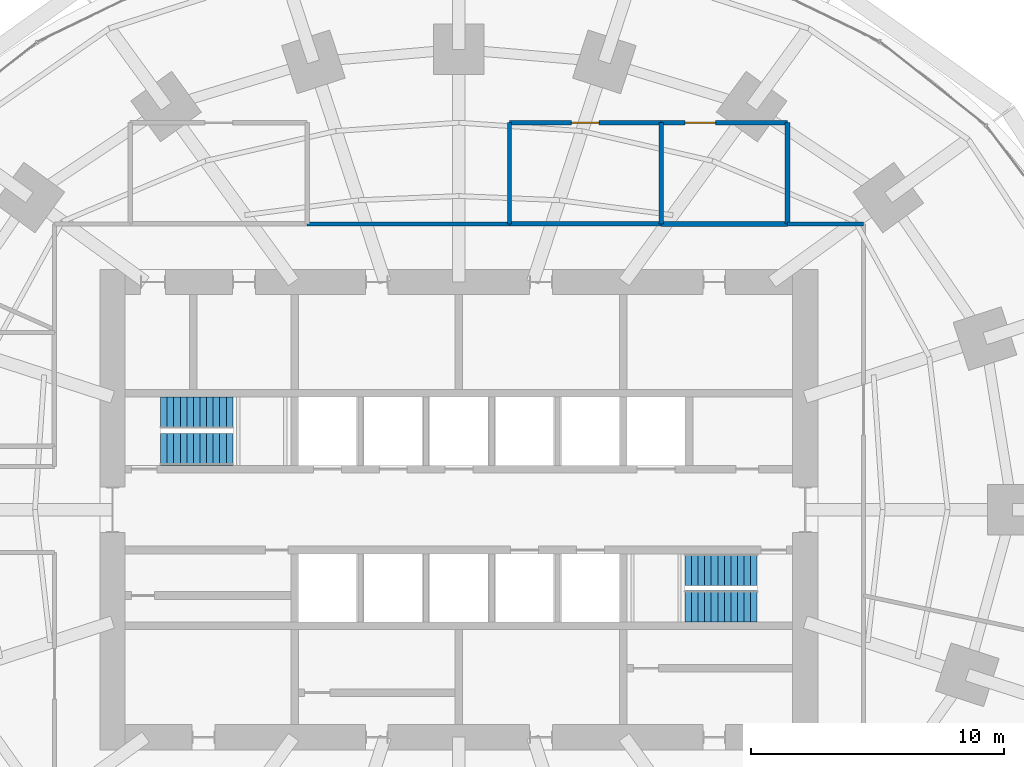
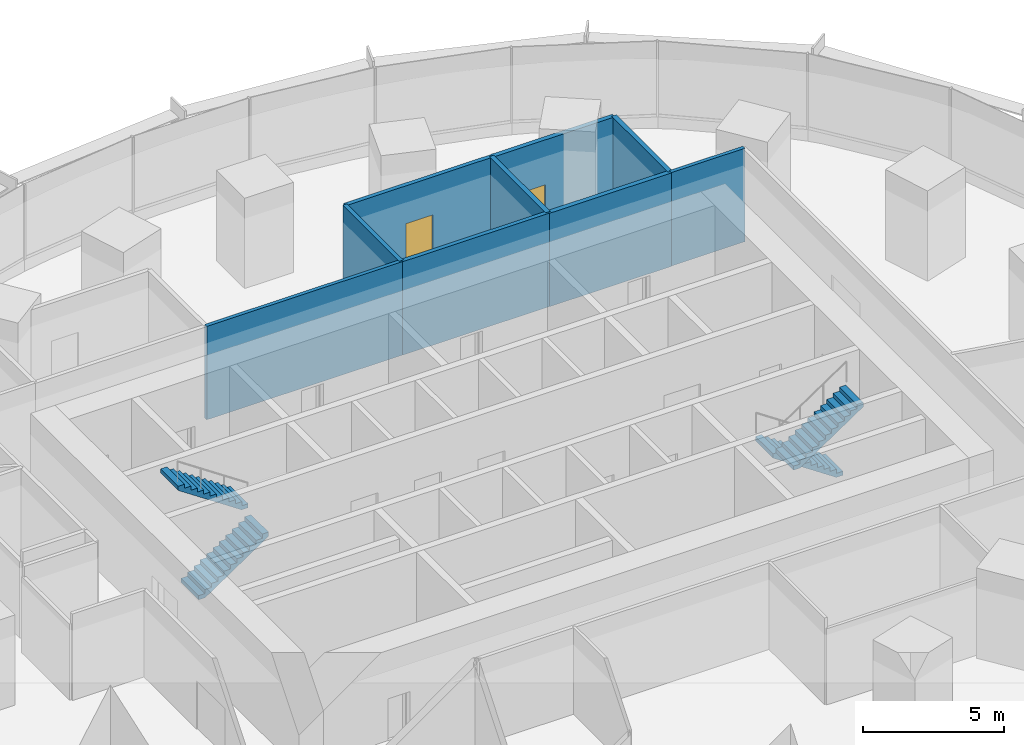
# One storey, part 13 of 15: 9 walls, 4 stair flights, 2 doors, 2 openings, 2 elements without a shape of their own.
"""IFC4 building model written with IfcOpenShell, lengths in metres."""

from ifc_helpers import new_model, si_unit, direction, frame, frame_2d, origin, place, context, subcontext, project, spatial, polyline, rectangle, outline, extrude, material, layer, layer_set, type_object, element, fill, aggregate, save


model = new_model("IFC4")

# Units and contexts
model_context = context("Model", 3, precision=1e-05, world=origin(), true_north=direction((0.0, 1.0)))
body_context = subcontext(model_context, "Body", "Model", "MODEL_VIEW")
ifc_project = project(units=[si_unit("LENGTHUNIT", "METRE"), si_unit("AREAUNIT", "SQUARE_METRE"), si_unit("VOLUMEUNIT", "CUBIC_METRE"), si_unit("PLANEANGLEUNIT", "RADIAN"), si_unit("MASSUNIT", "GRAM", prefix="KILO")], contexts=[model_context])

# Site, building, storey
site_placement = place(None, origin())
site = spatial("IfcSite", under=ifc_project, at=site_placement, CompositionType="ELEMENT")
building_placement = place(site_placement, origin())
building = spatial("IfcBuilding", under=site, at=building_placement, Name="Marramba Exchange Tower", CompositionType="ELEMENT")
storey_placement = place(building_placement, frame((0.0, 0.0, 32.199951171875)))
storey = spatial("IfcBuildingStorey", under=building, at=storey_placement, Name="L07", CompositionType="ELEMENT", Elevation=32.199951171875)

# Wall
ifc_material_1 = material(Name="Plasterboard on staggered double steel studs, acoustic insulation", Category="steel")
ifc_layer_1 = layer(ifc_material_1, 0.169921875)
ifc_layer_set_1 = layer_set([ifc_layer_1], Name="Acoustic partition 170")
wall_type_1 = type_object("IfcWallType", Name="Acoustic partition 170", PredefinedType="PARTITIONING", material=ifc_layer_set_1)
wall_1_placement = place(storey_placement, frame((2.0, 11.300048828125, 0.0), z_axis=(0.0, 0.0, 1.0), x_axis=(1.0, 0.0, 0.0)))
element("IfcWall", 1, at=wall_1_placement, inside=storey, type_object=wall_type_1, Name="Acoustic partition L07 21", PredefinedType="PARTITIONING", context=body_context, shape_type="SweptSolid", body=[
    extrude(rectangle(XDim=6.0, YDim=0.169921875, at=frame_2d((3.0, 0.0))), origin(), (0.0, 0.0, 1.0), 4.0400390625),
])

# Wall, opening, door
wall_2_placement = place(storey_placement, frame((8.0, 15.300048828125, 0.0), z_axis=(0.0, 0.0, 1.0), x_axis=(-1.0, 0.0, 0.0)))
wall_2 = element("IfcWall", 2, at=wall_2_placement, inside=storey, type_object=wall_type_1, Name="Acoustic partition L07 22", PredefinedType="PARTITIONING", context=body_context, shape_type="SweptSolid", body=[
    extrude(rectangle(XDim=6.0, YDim=0.169921875, at=frame_2d((3.0, 0.0))), origin(), (0.0, 0.0, 1.0), 4.0400390625),
])
opening_1_placement = place(wall_2_placement, frame((2.449951171875, 0.0, 0.0)))
opening_1 = element("IfcOpeningElement", 3, at=opening_1_placement, cuts=wall_2, Name="Opening D15", PredefinedType="OPENING", context=body_context, shape_type="SweptSolid", body=[
    extrude(rectangle(XDim=1.10009765625, YDim=2.39990234375, at=frame_2d((0.550048828125, 1.199951171875))), frame((0.0, 0.094970703125, 0.0), z_axis=(0.0, -1.0, 0.0), x_axis=(1.0, 0.0, 0.0)), (0.0, 0.0, 1.0), 0.18994140625),
])
ifc_material_2 = material(Name="Timber door", Category="wood")
door_type_1 = type_object("IfcDoorType", Name="Glazed meeting room door 1100x2400", OperationType="SINGLE_SWING_LEFT", PredefinedType="DOOR", material=ifc_material_2)
door_1_placement = place(opening_1_placement, origin())
door_1 = element("IfcDoor", 4, at=door_1_placement, inside=storey, type_object=door_type_1, Name="D15 Meeting Room 1 L07", OperationType="SINGLE_SWING_RIGHT", OverallHeight=2.39990234375, OverallWidth=1.10009765625, PredefinedType="DOOR", context=body_context, shape_type="SweptSolid", body=[
    extrude(rectangle(XDim=1.10009765625, YDim=2.39990234375, at=frame_2d((0.550048828125, 1.199951171875))), frame((0.0, 0.02490234375, 0.0), z_axis=(0.0, -1.0, 0.0), x_axis=(1.0, 0.0, 0.0)), (0.0, 0.0, 1.0), 0.050048828125),
])
fill(opening_1, door_1)

# Walls
wall_3_placement = place(storey_placement, frame((2.0, 15.300048828125, 0.0), z_axis=(0.0, 0.0, 1.0), x_axis=(0.0, -1.0, 0.0)))
element("IfcWall", 5, at=wall_3_placement, inside=storey, type_object=wall_type_1, Name="Acoustic partition L07 23", PredefinedType="PARTITIONING", context=body_context, shape_type="SweptSolid", body=[
    extrude(rectangle(XDim=4.0, YDim=0.169921875, at=frame_2d((2.0, 0.0))), origin(), (0.0, 0.0, 1.0), 4.0400390625),
])
ifc_material_3 = material(Name="Core-filled concrete blockwork, rendered", Category="masonry")
ifc_layer_2 = layer(ifc_material_3, 0.18994140625)
ifc_layer_set_2 = layer_set([ifc_layer_2], Name="Equipment room wall 190")
wall_type_2 = type_object("IfcWallType", Name="Equipment room wall 190", PredefinedType="SOLIDWALL", material=ifc_layer_set_2)
wall_4_placement = place(storey_placement, frame((13.0, 11.300048828125, 0.0), z_axis=(0.0, 0.0, 1.0), x_axis=(0.0, 1.0, 0.0)))
element("IfcWall", 6, at=wall_4_placement, inside=storey, type_object=wall_type_2, Name="Equipment room wall L07 17", PredefinedType="SOLIDWALL", context=body_context, shape_type="SweptSolid", body=[
    extrude(rectangle(XDim=4.0, YDim=0.18994140625, at=frame_2d((2.0, 0.0))), origin(), (0.0, 0.0, 1.0), 4.0400390625),
])
wall_5_placement = place(storey_placement, frame((8.0, 11.300048828125, 0.0), z_axis=(0.0, 0.0, 1.0), x_axis=(1.0, 0.0, 0.0)))
element("IfcWall", 7, at=wall_5_placement, inside=storey, type_object=wall_type_2, Name="Equipment room wall L07 18", PredefinedType="SOLIDWALL", context=body_context, shape_type="SweptSolid", body=[
    extrude(rectangle(XDim=5.0, YDim=0.18994140625, at=frame_2d((2.5, 0.0))), origin(), (0.0, 0.0, 1.0), 4.0400390625),
])

# Wall, opening, door
wall_6_placement = place(storey_placement, frame((13.0, 15.300048828125, 0.0), z_axis=(0.0, 0.0, 1.0), x_axis=(-1.0, 0.0, 0.0)))
wall_6 = element("IfcWall", 8, at=wall_6_placement, inside=storey, type_object=wall_type_2, Name="Equipment room wall L07 19", PredefinedType="SOLIDWALL", context=body_context, shape_type="SweptSolid", body=[
    extrude(rectangle(XDim=5.0, YDim=0.18994140625, at=frame_2d((2.5, 0.0))), origin(), (0.0, 0.0, 1.0), 4.0400390625),
])
opening_2_placement = place(wall_6_placement, frame((2.85009765625, 0.0, 0.0)))
opening_2 = element("IfcOpeningElement", 9, at=opening_2_placement, cuts=wall_6, Name="Opening D16", PredefinedType="OPENING", context=body_context, shape_type="SweptSolid", body=[
    extrude(rectangle(XDim=1.199951171875, YDim=2.10009765625, at=frame_2d((0.60009765625, 1.050048828125))), frame((0.0, 0.10498046875, 0.0), z_axis=(0.0, -1.0, 0.0), x_axis=(1.0, 0.0, 0.0)), (0.0, 0.0, 1.0), 0.2099609375),
])
ifc_material_4 = material(Name="Steel-framed door", Category="steel")
door_type_2 = type_object("IfcDoorType", Name="Equipment room door 1200x2100", OperationType="SINGLE_SWING_LEFT", PredefinedType="DOOR", material=ifc_material_4)
door_2_placement = place(opening_2_placement, origin())
door_2 = element("IfcDoor", 10, at=door_2_placement, inside=storey, type_object=door_type_2, Name="D16 Data Room 1 L07", OperationType="SINGLE_SWING_RIGHT", OverallHeight=2.10009765625, OverallWidth=1.199951171875, PredefinedType="DOOR", context=body_context, shape_type="SweptSolid", body=[
    extrude(rectangle(XDim=1.199951171875, YDim=2.10009765625, at=frame_2d((0.60009765625, 1.050048828125))), frame((0.0, 0.02490234375, 0.0), z_axis=(0.0, -1.0, 0.0), x_axis=(1.0, 0.0, 0.0)), (0.0, 0.0, 1.0), 0.050048828125),
])
fill(opening_2, door_2)

# Walls
wall_7_placement = place(storey_placement, frame((8.0, 15.300048828125, 0.0), z_axis=(0.0, 0.0, 1.0), x_axis=(0.0, -1.0, 0.0)))
element("IfcWall", 11, at=wall_7_placement, inside=storey, type_object=wall_type_2, Name="Equipment room wall L07 20", PredefinedType="SOLIDWALL", context=body_context, shape_type="SweptSolid", body=[
    extrude(rectangle(XDim=4.0, YDim=0.18994140625, at=frame_2d((2.0, 0.0))), origin(), (0.0, 0.0, 1.0), 4.0400390625),
])
ifc_material_5 = material(Name="Fire-rated plasterboard on steel studs, acoustic insulation", Category="steel")
ifc_layer_3 = layer(ifc_material_5, 0.14990234375)
ifc_layer_set_3 = layer_set([ifc_layer_3], Name="Tenancy wall 150")
wall_type_3 = type_object("IfcWallType", Name="Tenancy wall 150", PredefinedType="PARTITIONING", material=ifc_layer_set_3)
wall_8_placement = place(storey_placement, frame((16.0, 11.300048828125, 0.0), z_axis=(0.0, 0.0, 1.0), x_axis=(-1.0, 0.0, 0.0)))
element("IfcWall", 12, at=wall_8_placement, inside=storey, type_object=wall_type_3, Name="Tenancy wall L07 16", PredefinedType="PARTITIONING", context=body_context, shape_type="SweptSolid", body=[
    extrude(rectangle(XDim=3.0, YDim=0.14990234375, at=frame_2d((1.5, 0.0))), origin(), (0.0, 0.0, 1.0), 4.0400390625),
])
wall_9_placement = place(storey_placement, frame((2.0, 11.300048828125, 0.0), z_axis=(0.0, 0.0, 1.0), x_axis=(-1.0, 0.0, 0.0)))
element("IfcWall", 13, at=wall_9_placement, inside=storey, type_object=wall_type_3, Name="Tenancy wall L07 24", PredefinedType="PARTITIONING", context=body_context, shape_type="SweptSolid", body=[
    extrude(rectangle(XDim=8.0, YDim=0.14990234375, at=frame_2d((4.0, 0.0))), origin(), (0.0, 0.0, 1.0), 4.0400390625),
])

# Stair, stair flights
ifc_material_6 = material(Name="Concrete N40 (40 MPa)", Category="concrete")
stair_type_1 = type_object("IfcStairType", Name="Exit stair ST1 4200 x 1250", PredefinedType="HALF_TURN_STAIR", material=ifc_material_6)
stair_1_placement = place(storey_placement, origin())
stair_1 = element("IfcStair", 14, at=stair_1_placement, inside=storey, type_object=stair_type_1, Name="Exit stair ST1 L07", PredefinedType="HALF_TURN_STAIR")
stair_flight_type_1 = type_object("IfcStairFlightType", Name="ST1 stair flight 1750 riser 1250 wide", PredefinedType="STRAIGHT", material=ifc_material_6)
stair_flight_1_placement = place(storey_placement, frame((-11.800048828125, 2.375, 0.0), z_axis=(0.0, 0.0, 1.0), x_axis=(1.0, 0.0, 0.0)))
stair_flight_1 = element("IfcStairFlight", 15, at=stair_flight_1_placement, type_object=stair_flight_type_1, Name="ST1 flight 1", NumberOfRisers=12, NumberOfTreads=11, PredefinedType="STRAIGHT", RiserHeight=0.175, TreadLength=0.26, context=body_context, shape_type="SweptSolid", body=[
    extrude(outline(polyline([(0.0, 0.0), (0.0, 0.175048828125), (0.260009765625, 0.175048828125), (0.260009765625, 0.35009765625), (0.52001953125, 0.35009765625), (0.52001953125, 0.52490234375), (0.780029296875, 0.52490234375), (0.780029296875, 0.699951171875), (1.0400390625, 0.699951171875), (1.0400390625, 0.875), (1.300048828125, 0.875), (1.300048828125, 1.050048828125), (1.56005859375, 1.050048828125), (1.56005859375, 1.22509765625), (1.820068359375, 1.22509765625), (1.820068359375, 1.39990234375), (2.080078125, 1.39990234375), (2.080078125, 1.574951171875), (2.340087890625, 1.574951171875), (2.340087890625, 1.75), (2.60009765625, 1.75), (2.60009765625, 1.925048828125), (2.860107421875, 1.925048828125), (2.860107421875, 2.10009765625), (2.860107421875, 1.744384765625), (0.2685546875, 0.0), (0.0, 0.0)])), frame((0.0, 0.625, 0.0), z_axis=(0.0, -1.0, 0.0), x_axis=(1.0, 0.0, 0.0)), (0.0, 0.0, 1.0), 1.25),
])
stair_flight_2_placement = place(storey_placement, frame((-8.93994140625, 3.824951171875, 2.10009765625), z_axis=(0.0, 0.0, 1.0), x_axis=(-1.0, 0.0, 0.0)))
stair_flight_2 = element("IfcStairFlight", 16, at=stair_flight_2_placement, type_object=stair_flight_type_1, Name="ST1 flight 2", NumberOfRisers=12, NumberOfTreads=11, PredefinedType="STRAIGHT", RiserHeight=0.175, TreadLength=0.26, context=body_context, shape_type="SweptSolid", body=[
    extrude(outline(polyline([(0.0, 0.0), (0.0, 0.175048828125), (0.260009765625, 0.175048828125), (0.260009765625, 0.35009765625), (0.52001953125, 0.35009765625), (0.52001953125, 0.52490234375), (0.780029296875, 0.52490234375), (0.780029296875, 0.699951171875), (1.0400390625, 0.699951171875), (1.0400390625, 0.875), (1.300048828125, 0.875), (1.300048828125, 1.050048828125), (1.56005859375, 1.050048828125), (1.56005859375, 1.22509765625), (1.820068359375, 1.22509765625), (1.820068359375, 1.39990234375), (2.080078125, 1.39990234375), (2.080078125, 1.574951171875), (2.340087890625, 1.574951171875), (2.340087890625, 1.75), (2.60009765625, 1.75), (2.60009765625, 1.925048828125), (2.860107421875, 1.925048828125), (2.860107421875, 2.10009765625), (2.860107421875, 1.744384765625), (0.2685546875, 0.0), (0.0, 0.0)])), frame((0.0, 0.625, 0.0), z_axis=(0.0, -1.0, 0.0), x_axis=(1.0, 0.0, 0.0)), (0.0, 0.0, 1.0), 1.25),
])
aggregate(stair_1, [stair_flight_1, stair_flight_2])

stair_type_2 = type_object("IfcStairType", Name="Exit stair ST2 4200 x 1250", PredefinedType="HALF_TURN_STAIR", material=ifc_material_6)
stair_2_placement = place(storey_placement, origin())
stair_2 = element("IfcStair", 17, at=stair_2_placement, inside=storey, type_object=stair_type_2, Name="Exit stair ST2 L07", PredefinedType="HALF_TURN_STAIR")
stair_flight_type_2 = type_object("IfcStairFlightType", Name="ST2 stair flight 1750 riser 1250 wide", PredefinedType="STRAIGHT", material=ifc_material_6)
stair_flight_3_placement = place(storey_placement, frame((11.800048828125, -2.375, 0.0), z_axis=(0.0, 0.0, 1.0), x_axis=(-1.0, 0.0, 0.0)))
stair_flight_3 = element("IfcStairFlight", 18, at=stair_flight_3_placement, type_object=stair_flight_type_2, Name="ST2 flight 1", NumberOfRisers=12, NumberOfTreads=11, PredefinedType="STRAIGHT", RiserHeight=0.175, TreadLength=0.26, context=body_context, shape_type="SweptSolid", body=[
    extrude(outline(polyline([(0.0, 0.0), (0.0, 0.175048828125), (0.260009765625, 0.175048828125), (0.260009765625, 0.35009765625), (0.52001953125, 0.35009765625), (0.52001953125, 0.52490234375), (0.780029296875, 0.52490234375), (0.780029296875, 0.699951171875), (1.0400390625, 0.699951171875), (1.0400390625, 0.875), (1.300048828125, 0.875), (1.300048828125, 1.050048828125), (1.56005859375, 1.050048828125), (1.56005859375, 1.22509765625), (1.820068359375, 1.22509765625), (1.820068359375, 1.39990234375), (2.080078125, 1.39990234375), (2.080078125, 1.574951171875), (2.340087890625, 1.574951171875), (2.340087890625, 1.75), (2.60009765625, 1.75), (2.60009765625, 1.925048828125), (2.860107421875, 1.925048828125), (2.860107421875, 2.10009765625), (2.860107421875, 1.744384765625), (0.2685546875, 0.0), (0.0, 0.0)])), frame((0.0, 0.625, 0.0), z_axis=(0.0, -1.0, 0.0), x_axis=(1.0, 0.0, 0.0)), (0.0, 0.0, 1.0), 1.25),
])
stair_flight_4_placement = place(storey_placement, frame((8.93994140625, -3.824951171875, 2.10009765625), z_axis=(0.0, 0.0, 1.0), x_axis=(1.0, 0.0, 0.0)))
stair_flight_4 = element("IfcStairFlight", 19, at=stair_flight_4_placement, type_object=stair_flight_type_2, Name="ST2 flight 2", NumberOfRisers=12, NumberOfTreads=11, PredefinedType="STRAIGHT", RiserHeight=0.175, TreadLength=0.26, context=body_context, shape_type="SweptSolid", body=[
    extrude(outline(polyline([(0.0, 0.0), (0.0, 0.175048828125), (0.260009765625, 0.175048828125), (0.260009765625, 0.35009765625), (0.52001953125, 0.35009765625), (0.52001953125, 0.52490234375), (0.780029296875, 0.52490234375), (0.780029296875, 0.699951171875), (1.0400390625, 0.699951171875), (1.0400390625, 0.875), (1.300048828125, 0.875), (1.300048828125, 1.050048828125), (1.56005859375, 1.050048828125), (1.56005859375, 1.22509765625), (1.820068359375, 1.22509765625), (1.820068359375, 1.39990234375), (2.080078125, 1.39990234375), (2.080078125, 1.574951171875), (2.340087890625, 1.574951171875), (2.340087890625, 1.75), (2.60009765625, 1.75), (2.60009765625, 1.925048828125), (2.860107421875, 1.925048828125), (2.860107421875, 2.10009765625), (2.860107421875, 1.744384765625), (0.2685546875, 0.0), (0.0, 0.0)])), frame((0.0, 0.625, 0.0), z_axis=(0.0, -1.0, 0.0), x_axis=(1.0, 0.0, 0.0)), (0.0, 0.0, 1.0), 1.25),
])
aggregate(stair_2, [stair_flight_3, stair_flight_4])

save(model, "model.ifc")
